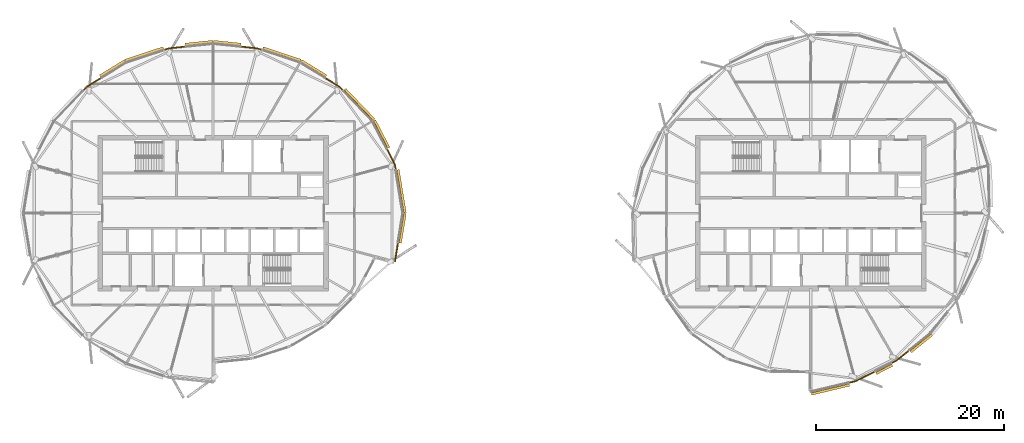
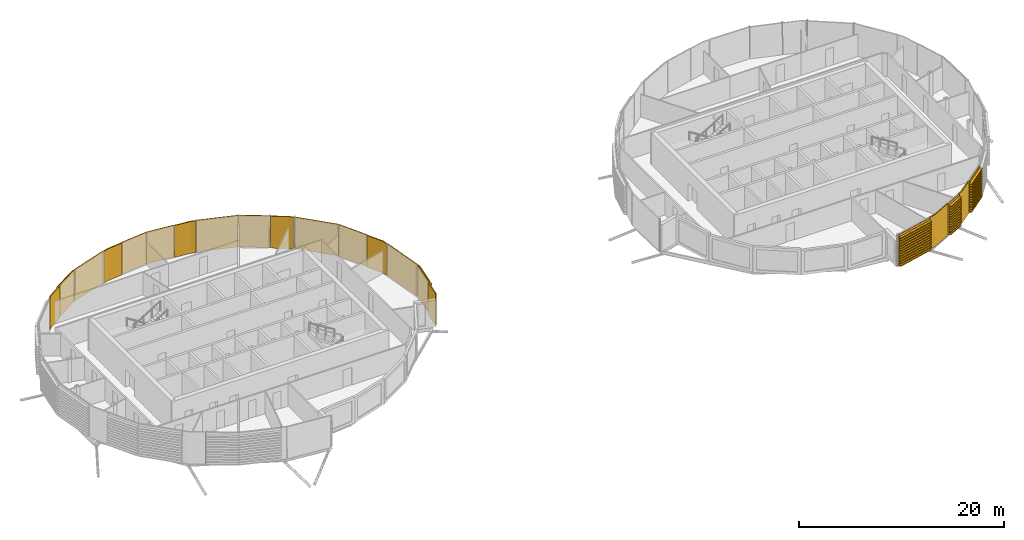
# One storey, part 32 of 34: 21 coverings.
"""IFC4 building model written with IfcOpenShell, lengths in metres."""

from ifc_helpers import new_model, si_unit, direction, frame, origin, place, context, subcontext, project, spatial, polyline, outline, extrude, material, layer, layer_set, material_profile, profile_set, type_object, element, save


model = new_model("IFC4")

# Units and contexts
model_context = context("Model", 3, precision=1e-05, world=origin(), true_north=direction((0.0, 1.0)))
body_context = subcontext(model_context, "Body", "Model", "MODEL_VIEW")
ifc_project = project(units=[si_unit("LENGTHUNIT", "METRE"), si_unit("AREAUNIT", "SQUARE_METRE"), si_unit("VOLUMEUNIT", "CUBIC_METRE"), si_unit("PLANEANGLEUNIT", "RADIAN"), si_unit("MASSUNIT", "GRAM", prefix="KILO")], contexts=[model_context])

# Site, building, storey
site_placement = place(None, origin())
site = spatial("IfcSite", under=ifc_project, at=site_placement, CompositionType="ELEMENT")
building_placement = place(site_placement, origin())
building = spatial("IfcBuilding", under=site, at=building_placement, Name="Rimbun Link Towers", CompositionType="ELEMENT")
storey_placement = place(building_placement, frame((0.0, 0.0, 252.300048828125)))
storey = spatial("IfcBuildingStorey", under=building, at=storey_placement, Name="L62", CompositionType="ELEMENT", Elevation=252.300048828125)

# Coverings
ifc_material_1 = material(Name="Terracotta", Category="masonry")
ifc_layer = layer(ifc_material_1, 0.1201171875)
ifc_layer_set = layer_set([ifc_layer], Name="LINK PIER terracotta cladding 120")
covering_type_1 = type_object("IfcCoveringType", Name="LINK PIER terracotta cladding 120", PredefinedType="CLADDING", material=ifc_layer_set)
covering_1_placement = place(storey_placement, origin())
element("IfcCovering", 1, at=covering_1_placement, inside=storey, type_object=covering_type_1, Name="LINK PIER cladding", PredefinedType="CLADDING", context=body_context, shape_type="SweptSolid", body=[
    extrude(outline(polyline([(-13.327392578125, 6.77685546875), (-12.490966796875, 5.160400390625), (-12.3984375, 4.59814453125), (-12.280029296875, 4.617431640625), (-12.37548828125, 5.19873046875), (-13.220703125, 6.83203125), (-13.327392578125, 6.77685546875)])), origin(), (0.0, 0.0, 1.0), 3.800048828125),
])
covering_2_placement = place(storey_placement, origin())
element("IfcCovering", 2, at=covering_2_placement, inside=storey, type_object=covering_type_1, Name="LINK PIER cladding", PredefinedType="CLADDING", context=body_context, shape_type="SweptSolid", body=[
    extrude(outline(polyline([(-19.8662109375, 14.318115234375), (-18.35791015625, 13.39208984375), (-17.96337890625, 12.980712890625), (-17.876708984375, 13.063720703125), (-18.281982421875, 13.486328125), (-19.803466796875, 14.42041015625), (-19.8662109375, 14.318115234375)])), origin(), (0.0, 0.0, 1.0), 3.800048828125),
])
covering_3_placement = place(storey_placement, origin())
element("IfcCovering", 3, at=covering_3_placement, inside=storey, type_object=covering_type_1, Name="LINK PIER cladding", PredefinedType="CLADDING", context=body_context, shape_type="SweptSolid", body=[
    extrude(outline(polyline([(-28.781982421875, 17.640625), (-27.071533203125, 17.460693359375), (-26.577880859375, 17.297119140625), (-26.5400390625, 17.410888671875), (-27.046142578125, 17.57861328125), (-28.76953125, 17.760009765625), (-28.781982421875, 17.640625)])), origin(), (0.0, 0.0, 1.0), 3.800048828125),
])
covering_4_placement = place(storey_placement, origin())
element("IfcCovering", 4, at=covering_4_placement, inside=storey, type_object=covering_type_1, Name="LINK PIER cladding", PredefinedType="CLADDING", context=body_context, shape_type="SweptSolid", body=[
    extrude(outline(polyline([(-36.922119140625, 17.297119140625), (-36.428466796875, 17.460693359375), (-34.718017578125, 17.640625), (-34.73046875, 17.760009765625), (-36.453857421875, 17.57861328125), (-36.9599609375, 17.410888671875), (-36.922119140625, 17.297119140625)])), origin(), (0.0, 0.0, 1.0), 3.800048828125),
])
covering_5_placement = place(storey_placement, origin())
element("IfcCovering", 5, at=covering_5_placement, inside=storey, type_object=covering_type_1, Name="LINK PIER cladding", PredefinedType="CLADDING", context=body_context, shape_type="SweptSolid", body=[
    extrude(outline(polyline([(-45.53662109375, 12.980712890625), (-45.14208984375, 13.39208984375), (-43.6337890625, 14.318115234375), (-43.696533203125, 14.42041015625), (-45.218017578125, 13.486328125), (-45.623291015625, 13.063720703125), (-45.53662109375, 12.980712890625)])), origin(), (0.0, 0.0, 1.0), 3.800048828125),
])
covering_6_placement = place(storey_placement, origin())
element("IfcCovering", 6, at=covering_6_placement, inside=storey, type_object=covering_type_1, Name="LINK PIER cladding", PredefinedType="CLADDING", context=body_context, shape_type="SweptSolid", body=[
    extrude(outline(polyline([(-12.1630859375, -3.167236328125), (-12.486083984375, -5.130859375), (-12.36767578125, -5.150390625), (-12.044677734375, -3.186767578125), (-12.1630859375, -3.167236328125)])), origin(), (0.0, 0.0, 1.0), 3.800048828125),
])
covering_7_placement = place(storey_placement, origin())
element("IfcCovering", 7, at=covering_7_placement, inside=storey, type_object=covering_type_1, Name="LINK PIER cladding", PredefinedType="CLADDING", context=body_context, shape_type="SweptSolid", body=[
    extrude(outline(polyline([(38.547607421875, -16.77978515625), (36.51904296875, -17.798583984375), (35.81884765625, -17.966064453125), (35.8466796875, -18.082763671875), (36.560546875, -17.912109375), (38.6015625, -16.88720703125), (38.547607421875, -16.77978515625)])), origin(), (0.0, 0.0, 1.0), 3.800048828125),
])
covering_8_placement = place(storey_placement, origin())
element("IfcCovering", 8, at=covering_8_placement, inside=storey, type_object=covering_type_1, Name="LINK PIER cladding", PredefinedType="CLADDING", context=body_context, shape_type="SweptSolid", body=[
    extrude(outline(polyline([(42.1640625, -14.541015625), (40.788330078125, -15.65478515625), (40.323486328125, -15.887939453125), (40.37744140625, -15.995361328125), (40.853759765625, -15.756103515625), (42.239501953125, -14.63427734375), (42.1640625, -14.541015625)])), origin(), (0.0, 0.0, 1.0), 3.800048828125),
])
ifc_material_2 = material(Name="Terracotta", Category="masonry")
ifc_material_profile = material_profile(ifc_material_2, outline(polyline([(0.123046875, 0.0), (0.1630859375, 0.0), (0.1630859375, 0.10009765625), (0.423095703125, 0.10009765625), (0.423095703125, 0.219970703125), (0.1630859375, 0.219970703125), (0.1630859375, 0.39990234375), (0.423095703125, 0.39990234375), (0.423095703125, 0.52001953125), (0.1630859375, 0.52001953125), (0.1630859375, 0.699951171875), (0.423095703125, 0.699951171875), (0.423095703125, 0.820068359375), (0.1630859375, 0.820068359375), (0.1630859375, 1.0), (0.423095703125, 1.0), (0.423095703125, 1.1201171875), (0.1630859375, 1.1201171875), (0.1630859375, 1.300048828125), (0.423095703125, 1.300048828125), (0.423095703125, 1.419921875), (0.1630859375, 1.419921875), (0.1630859375, 1.60009765625), (0.423095703125, 1.60009765625), (0.423095703125, 1.719970703125), (0.1630859375, 1.719970703125), (0.1630859375, 1.89990234375), (0.423095703125, 1.89990234375), (0.423095703125, 2.02001953125), (0.1630859375, 2.02001953125), (0.1630859375, 2.199951171875), (0.423095703125, 2.199951171875), (0.423095703125, 2.320068359375), (0.1630859375, 2.320068359375), (0.1630859375, 2.5), (0.423095703125, 2.5), (0.423095703125, 2.6201171875), (0.1630859375, 2.6201171875), (0.1630859375, 2.800048828125), (0.423095703125, 2.800048828125), (0.423095703125, 2.919921875), (0.1630859375, 2.919921875), (0.1630859375, 3.10009765625), (0.423095703125, 3.10009765625), (0.423095703125, 3.219970703125), (0.1630859375, 3.219970703125), (0.1630859375, 3.39990234375), (0.423095703125, 3.39990234375), (0.423095703125, 3.52001953125), (0.1630859375, 3.52001953125), (0.1630859375, 3.800048828125), (0.123046875, 3.800048828125), (0.123046875, 0.0)])), Name="BAGUETTE 120X300")
ifc_profile_set = profile_set([ifc_material_profile], Name="Terracotta")
covering_type_2 = type_object("IfcCoveringType", Name="TERRACOTTA BAGUETTE 120X300 H3800", PredefinedType="CLADDING", material=ifc_profile_set)
covering_9_placement = place(storey_placement, frame((-12.3935546875, 4.568359375, 0.0), z_axis=(0.162260759492, -0.986747914074, 0.0), x_axis=(0.986747914074, 0.162260759492, 0.0)))
element("IfcCovering", 9, at=covering_9_placement, inside=storey, type_object=covering_type_2, Name="TERRACOTTA BAGUETTE", PredefinedType="CLADDING", context=body_context, shape_type="SweptSolid", body=[
    extrude(outline(polyline([(0.123046875, 0.0), (0.1630859375, 0.0), (0.1630859375, 0.10009765625), (0.423095703125, 0.10009765625), (0.423095703125, 0.219970703125), (0.1630859375, 0.219970703125), (0.1630859375, 0.39990234375), (0.423095703125, 0.39990234375), (0.423095703125, 0.52001953125), (0.1630859375, 0.52001953125), (0.1630859375, 0.699951171875), (0.423095703125, 0.699951171875), (0.423095703125, 0.820068359375), (0.1630859375, 0.820068359375), (0.1630859375, 1.0), (0.423095703125, 1.0), (0.423095703125, 1.1201171875), (0.1630859375, 1.1201171875), (0.1630859375, 1.300048828125), (0.423095703125, 1.300048828125), (0.423095703125, 1.419921875), (0.1630859375, 1.419921875), (0.1630859375, 1.60009765625), (0.423095703125, 1.60009765625), (0.423095703125, 1.719970703125), (0.1630859375, 1.719970703125), (0.1630859375, 1.89990234375), (0.423095703125, 1.89990234375), (0.423095703125, 2.02001953125), (0.1630859375, 2.02001953125), (0.1630859375, 2.199951171875), (0.423095703125, 2.199951171875), (0.423095703125, 2.320068359375), (0.1630859375, 2.320068359375), (0.1630859375, 2.5), (0.423095703125, 2.5), (0.423095703125, 2.6201171875), (0.1630859375, 2.6201171875), (0.1630859375, 2.800048828125), (0.423095703125, 2.800048828125), (0.423095703125, 2.919921875), (0.1630859375, 2.919921875), (0.1630859375, 3.10009765625), (0.423095703125, 3.10009765625), (0.423095703125, 3.219970703125), (0.1630859375, 3.219970703125), (0.1630859375, 3.39990234375), (0.423095703125, 3.39990234375), (0.423095703125, 3.52001953125), (0.1630859375, 3.52001953125), (0.1630859375, 3.800048828125), (0.123046875, 3.800048828125), (0.123046875, 0.0)])), origin(), (0.0, 0.0, 1.0), 4.629638671875),
])
covering_10_placement = place(storey_placement, frame((-14.864990234375, 9.74853515625, 0.0), z_axis=(0.459569127247, -0.888142002881, 0.0), x_axis=(0.888142002881, 0.459569127247, 0.0)))
element("IfcCovering", 10, at=covering_10_placement, inside=storey, type_object=covering_type_2, Name="TERRACOTTA BAGUETTE", PredefinedType="CLADDING", context=body_context, shape_type="SweptSolid", body=[
    extrude(outline(polyline([(0.123046875, 0.0), (0.1630859375, 0.0), (0.1630859375, 0.10009765625), (0.423095703125, 0.10009765625), (0.423095703125, 0.219970703125), (0.1630859375, 0.219970703125), (0.1630859375, 0.39990234375), (0.423095703125, 0.39990234375), (0.423095703125, 0.52001953125), (0.1630859375, 0.52001953125), (0.1630859375, 0.699951171875), (0.423095703125, 0.699951171875), (0.423095703125, 0.820068359375), (0.1630859375, 0.820068359375), (0.1630859375, 1.0), (0.423095703125, 1.0), (0.423095703125, 1.1201171875), (0.1630859375, 1.1201171875), (0.1630859375, 1.300048828125), (0.423095703125, 1.300048828125), (0.423095703125, 1.419921875), (0.1630859375, 1.419921875), (0.1630859375, 1.60009765625), (0.423095703125, 1.60009765625), (0.423095703125, 1.719970703125), (0.1630859375, 1.719970703125), (0.1630859375, 1.89990234375), (0.423095703125, 1.89990234375), (0.423095703125, 2.02001953125), (0.1630859375, 2.02001953125), (0.1630859375, 2.199951171875), (0.423095703125, 2.199951171875), (0.423095703125, 2.320068359375), (0.1630859375, 2.320068359375), (0.1630859375, 2.5), (0.423095703125, 2.5), (0.423095703125, 2.6201171875), (0.1630859375, 2.6201171875), (0.1630859375, 2.800048828125), (0.423095703125, 2.800048828125), (0.423095703125, 2.919921875), (0.1630859375, 2.919921875), (0.1630859375, 3.10009765625), (0.423095703125, 3.10009765625), (0.423095703125, 3.219970703125), (0.1630859375, 3.219970703125), (0.1630859375, 3.39990234375), (0.423095703125, 3.39990234375), (0.423095703125, 3.52001953125), (0.1630859375, 3.52001953125), (0.1630859375, 3.800048828125), (0.123046875, 3.800048828125), (0.123046875, 0.0)])), origin(), (0.0, 0.0, 1.0), 3.31591796875),
])
covering_11_placement = place(storey_placement, frame((-17.942626953125, 12.958984375, 0.0), z_axis=(0.692017431912, -0.721880789279, 0.0), x_axis=(0.721880789279, 0.692017431912, 0.0)))
element("IfcCovering", 11, at=covering_11_placement, inside=storey, type_object=covering_type_2, Name="TERRACOTTA BAGUETTE", PredefinedType="CLADDING", context=body_context, shape_type="SweptSolid", body=[
    extrude(outline(polyline([(0.123046875, 0.0), (0.1630859375, 0.0), (0.1630859375, 0.10009765625), (0.423095703125, 0.10009765625), (0.423095703125, 0.219970703125), (0.1630859375, 0.219970703125), (0.1630859375, 0.39990234375), (0.423095703125, 0.39990234375), (0.423095703125, 0.52001953125), (0.1630859375, 0.52001953125), (0.1630859375, 0.699951171875), (0.423095703125, 0.699951171875), (0.423095703125, 0.820068359375), (0.1630859375, 0.820068359375), (0.1630859375, 1.0), (0.423095703125, 1.0), (0.423095703125, 1.1201171875), (0.1630859375, 1.1201171875), (0.1630859375, 1.300048828125), (0.423095703125, 1.300048828125), (0.423095703125, 1.419921875), (0.1630859375, 1.419921875), (0.1630859375, 1.60009765625), (0.423095703125, 1.60009765625), (0.423095703125, 1.719970703125), (0.1630859375, 1.719970703125), (0.1630859375, 1.89990234375), (0.423095703125, 1.89990234375), (0.423095703125, 2.02001953125), (0.1630859375, 2.02001953125), (0.1630859375, 2.199951171875), (0.423095703125, 2.199951171875), (0.423095703125, 2.320068359375), (0.1630859375, 2.320068359375), (0.1630859375, 2.5), (0.423095703125, 2.5), (0.423095703125, 2.6201171875), (0.1630859375, 2.6201171875), (0.1630859375, 2.800048828125), (0.423095703125, 2.800048828125), (0.423095703125, 2.919921875), (0.1630859375, 2.919921875), (0.1630859375, 3.10009765625), (0.423095703125, 3.10009765625), (0.423095703125, 3.219970703125), (0.1630859375, 3.219970703125), (0.1630859375, 3.39990234375), (0.423095703125, 3.39990234375), (0.423095703125, 3.52001953125), (0.1630859375, 3.52001953125), (0.1630859375, 3.800048828125), (0.123046875, 3.800048828125), (0.123046875, 0.0)])), origin(), (0.0, 0.0, 1.0), 4.447265625),
])
covering_12_placement = place(storey_placement, frame((-22.53662109375, 15.957763671875, 0.0), z_axis=(0.852200764088, -0.523214924947, 0.0), x_axis=(0.523214924947, 0.852200764088, 0.0)))
element("IfcCovering", 12, at=covering_12_placement, inside=storey, type_object=covering_type_2, Name="TERRACOTTA BAGUETTE", PredefinedType="CLADDING", context=body_context, shape_type="SweptSolid", body=[
    extrude(outline(polyline([(0.123046875, 0.0), (0.1630859375, 0.0), (0.1630859375, 0.10009765625), (0.423095703125, 0.10009765625), (0.423095703125, 0.219970703125), (0.1630859375, 0.219970703125), (0.1630859375, 0.39990234375), (0.423095703125, 0.39990234375), (0.423095703125, 0.52001953125), (0.1630859375, 0.52001953125), (0.1630859375, 0.699951171875), (0.423095703125, 0.699951171875), (0.423095703125, 0.820068359375), (0.1630859375, 0.820068359375), (0.1630859375, 1.0), (0.423095703125, 1.0), (0.423095703125, 1.1201171875), (0.1630859375, 1.1201171875), (0.1630859375, 1.300048828125), (0.423095703125, 1.300048828125), (0.423095703125, 1.419921875), (0.1630859375, 1.419921875), (0.1630859375, 1.60009765625), (0.423095703125, 1.60009765625), (0.423095703125, 1.719970703125), (0.1630859375, 1.719970703125), (0.1630859375, 1.89990234375), (0.423095703125, 1.89990234375), (0.423095703125, 2.02001953125), (0.1630859375, 2.02001953125), (0.1630859375, 2.199951171875), (0.423095703125, 2.199951171875), (0.423095703125, 2.320068359375), (0.1630859375, 2.320068359375), (0.1630859375, 2.5), (0.423095703125, 2.5), (0.423095703125, 2.6201171875), (0.1630859375, 2.6201171875), (0.1630859375, 2.800048828125), (0.423095703125, 2.800048828125), (0.423095703125, 2.919921875), (0.1630859375, 2.919921875), (0.1630859375, 3.10009765625), (0.423095703125, 3.10009765625), (0.423095703125, 3.219970703125), (0.1630859375, 3.219970703125), (0.1630859375, 3.39990234375), (0.423095703125, 3.39990234375), (0.423095703125, 3.52001953125), (0.1630859375, 3.52001953125), (0.1630859375, 3.800048828125), (0.123046875, 3.800048828125), (0.123046875, 0.0)])), origin(), (0.0, 0.0, 1.0), 3.103515625),
])
covering_13_placement = place(storey_placement, frame((-26.54931640625, 17.28759765625, 0.0), z_axis=(0.949230524958, -0.314581325715, 0.0), x_axis=(0.314581325715, 0.949230524958, 0.0)))
element("IfcCovering", 13, at=covering_13_placement, inside=storey, type_object=covering_type_2, Name="TERRACOTTA BAGUETTE", PredefinedType="CLADDING", context=body_context, shape_type="SweptSolid", body=[
    extrude(outline(polyline([(0.123046875, 0.0), (0.1630859375, 0.0), (0.1630859375, 0.10009765625), (0.423095703125, 0.10009765625), (0.423095703125, 0.219970703125), (0.1630859375, 0.219970703125), (0.1630859375, 0.39990234375), (0.423095703125, 0.39990234375), (0.423095703125, 0.52001953125), (0.1630859375, 0.52001953125), (0.1630859375, 0.699951171875), (0.423095703125, 0.699951171875), (0.423095703125, 0.820068359375), (0.1630859375, 0.820068359375), (0.1630859375, 1.0), (0.423095703125, 1.0), (0.423095703125, 1.1201171875), (0.1630859375, 1.1201171875), (0.1630859375, 1.300048828125), (0.423095703125, 1.300048828125), (0.423095703125, 1.419921875), (0.1630859375, 1.419921875), (0.1630859375, 1.60009765625), (0.423095703125, 1.60009765625), (0.423095703125, 1.719970703125), (0.1630859375, 1.719970703125), (0.1630859375, 1.89990234375), (0.423095703125, 1.89990234375), (0.423095703125, 2.02001953125), (0.1630859375, 2.02001953125), (0.1630859375, 2.199951171875), (0.423095703125, 2.199951171875), (0.423095703125, 2.320068359375), (0.1630859375, 2.320068359375), (0.1630859375, 2.5), (0.423095703125, 2.5), (0.423095703125, 2.6201171875), (0.1630859375, 2.6201171875), (0.1630859375, 2.800048828125), (0.423095703125, 2.800048828125), (0.423095703125, 2.919921875), (0.1630859375, 2.919921875), (0.1630859375, 3.10009765625), (0.423095703125, 3.10009765625), (0.423095703125, 3.219970703125), (0.1630859375, 3.219970703125), (0.1630859375, 3.39990234375), (0.423095703125, 3.39990234375), (0.423095703125, 3.52001953125), (0.1630859375, 3.52001953125), (0.1630859375, 3.800048828125), (0.123046875, 3.800048828125), (0.123046875, 0.0)])), origin(), (0.0, 0.0, 1.0), 4.227294921875),
])
for number, where, z_axis, x_axis, name in (
    (14, (-31.75, 17.953369140625, 0.0), (0.994495487107, -0.104779416506, 0.0), (0.104779416506, 0.994495487107, 0.0), "TERRACOTTA BAGUETTE"),
    (15, (-34.688232421875, 17.643798828125, 0.0), (0.994495487107, 0.104779416506, 0.0), (-0.104779416506, 0.994495487107, 0.0), "TERRACOTTA BAGUETTE"),
):
    element("IfcCovering", number, at=place(storey_placement, frame(where, z_axis=z_axis, x_axis=x_axis)), inside=storey, type_object=covering_type_2, Name=name, PredefinedType="CLADDING", context=body_context, shape_type="SweptSolid", body=[
        extrude(outline(polyline([(0.123046875, 0.0), (0.1630859375, 0.0), (0.1630859375, 0.10009765625), (0.423095703125, 0.10009765625), (0.423095703125, 0.219970703125), (0.1630859375, 0.219970703125), (0.1630859375, 0.39990234375), (0.423095703125, 0.39990234375), (0.423095703125, 0.52001953125), (0.1630859375, 0.52001953125), (0.1630859375, 0.699951171875), (0.423095703125, 0.699951171875), (0.423095703125, 0.820068359375), (0.1630859375, 0.820068359375), (0.1630859375, 1.0), (0.423095703125, 1.0), (0.423095703125, 1.1201171875), (0.1630859375, 1.1201171875), (0.1630859375, 1.300048828125), (0.423095703125, 1.300048828125), (0.423095703125, 1.419921875), (0.1630859375, 1.419921875), (0.1630859375, 1.60009765625), (0.423095703125, 1.60009765625), (0.423095703125, 1.719970703125), (0.1630859375, 1.719970703125), (0.1630859375, 1.89990234375), (0.423095703125, 1.89990234375), (0.423095703125, 2.02001953125), (0.1630859375, 2.02001953125), (0.1630859375, 2.199951171875), (0.423095703125, 2.199951171875), (0.423095703125, 2.320068359375), (0.1630859375, 2.320068359375), (0.1630859375, 2.5), (0.423095703125, 2.5), (0.423095703125, 2.6201171875), (0.1630859375, 2.6201171875), (0.1630859375, 2.800048828125), (0.423095703125, 2.800048828125), (0.423095703125, 2.919921875), (0.1630859375, 2.919921875), (0.1630859375, 3.10009765625), (0.423095703125, 3.10009765625), (0.423095703125, 3.219970703125), (0.1630859375, 3.219970703125), (0.1630859375, 3.39990234375), (0.423095703125, 3.39990234375), (0.423095703125, 3.52001953125), (0.1630859375, 3.52001953125), (0.1630859375, 3.800048828125), (0.123046875, 3.800048828125), (0.123046875, 0.0)])), origin(), (0.0, 0.0, 1.0), 2.95458984375),
    ])
covering_14_placement = place(storey_placement, frame((-40.96337890625, 15.957763671875, 0.0), z_axis=(0.949230524958, 0.314581325715, 0.0), x_axis=(-0.314581325715, 0.949230524958, 0.0)))
element("IfcCovering", 16, at=covering_14_placement, inside=storey, type_object=covering_type_2, Name="TERRACOTTA BAGUETTE", PredefinedType="CLADDING", context=body_context, shape_type="SweptSolid", body=[
    extrude(outline(polyline([(0.123046875, 0.0), (0.1630859375, 0.0), (0.1630859375, 0.10009765625), (0.423095703125, 0.10009765625), (0.423095703125, 0.219970703125), (0.1630859375, 0.219970703125), (0.1630859375, 0.39990234375), (0.423095703125, 0.39990234375), (0.423095703125, 0.52001953125), (0.1630859375, 0.52001953125), (0.1630859375, 0.699951171875), (0.423095703125, 0.699951171875), (0.423095703125, 0.820068359375), (0.1630859375, 0.820068359375), (0.1630859375, 1.0), (0.423095703125, 1.0), (0.423095703125, 1.1201171875), (0.1630859375, 1.1201171875), (0.1630859375, 1.300048828125), (0.423095703125, 1.300048828125), (0.423095703125, 1.419921875), (0.1630859375, 1.419921875), (0.1630859375, 1.60009765625), (0.423095703125, 1.60009765625), (0.423095703125, 1.719970703125), (0.1630859375, 1.719970703125), (0.1630859375, 1.89990234375), (0.423095703125, 1.89990234375), (0.423095703125, 2.02001953125), (0.1630859375, 2.02001953125), (0.1630859375, 2.199951171875), (0.423095703125, 2.199951171875), (0.423095703125, 2.320068359375), (0.1630859375, 2.320068359375), (0.1630859375, 2.5), (0.423095703125, 2.5), (0.423095703125, 2.6201171875), (0.1630859375, 2.6201171875), (0.1630859375, 2.800048828125), (0.423095703125, 2.800048828125), (0.423095703125, 2.919921875), (0.1630859375, 2.919921875), (0.1630859375, 3.10009765625), (0.423095703125, 3.10009765625), (0.423095703125, 3.219970703125), (0.1630859375, 3.219970703125), (0.1630859375, 3.39990234375), (0.423095703125, 3.39990234375), (0.423095703125, 3.52001953125), (0.1630859375, 3.52001953125), (0.1630859375, 3.800048828125), (0.123046875, 3.800048828125), (0.123046875, 0.0)])), origin(), (0.0, 0.0, 1.0), 4.227294921875),
])
covering_15_placement = place(storey_placement, frame((-43.608154296875, 14.333984375, 0.0), z_axis=(0.852200764088, 0.523214924947, 0.0), x_axis=(-0.523214924947, 0.852200764088, 0.0)))
element("IfcCovering", 17, at=covering_15_placement, inside=storey, type_object=covering_type_2, Name="TERRACOTTA BAGUETTE", PredefinedType="CLADDING", context=body_context, shape_type="SweptSolid", body=[
    extrude(outline(polyline([(0.123046875, 0.0), (0.1630859375, 0.0), (0.1630859375, 0.10009765625), (0.423095703125, 0.10009765625), (0.423095703125, 0.219970703125), (0.1630859375, 0.219970703125), (0.1630859375, 0.39990234375), (0.423095703125, 0.39990234375), (0.423095703125, 0.52001953125), (0.1630859375, 0.52001953125), (0.1630859375, 0.699951171875), (0.423095703125, 0.699951171875), (0.423095703125, 0.820068359375), (0.1630859375, 0.820068359375), (0.1630859375, 1.0), (0.423095703125, 1.0), (0.423095703125, 1.1201171875), (0.1630859375, 1.1201171875), (0.1630859375, 1.300048828125), (0.423095703125, 1.300048828125), (0.423095703125, 1.419921875), (0.1630859375, 1.419921875), (0.1630859375, 1.60009765625), (0.423095703125, 1.60009765625), (0.423095703125, 1.719970703125), (0.1630859375, 1.719970703125), (0.1630859375, 1.89990234375), (0.423095703125, 1.89990234375), (0.423095703125, 2.02001953125), (0.1630859375, 2.02001953125), (0.1630859375, 2.199951171875), (0.423095703125, 2.199951171875), (0.423095703125, 2.320068359375), (0.1630859375, 2.320068359375), (0.1630859375, 2.5), (0.423095703125, 2.5), (0.423095703125, 2.6201171875), (0.1630859375, 2.6201171875), (0.1630859375, 2.800048828125), (0.423095703125, 2.800048828125), (0.423095703125, 2.919921875), (0.1630859375, 2.919921875), (0.1630859375, 3.10009765625), (0.423095703125, 3.10009765625), (0.423095703125, 3.219970703125), (0.1630859375, 3.219970703125), (0.1630859375, 3.39990234375), (0.423095703125, 3.39990234375), (0.423095703125, 3.52001953125), (0.1630859375, 3.52001953125), (0.1630859375, 3.800048828125), (0.123046875, 3.800048828125), (0.123046875, 0.0)])), origin(), (0.0, 0.0, 1.0), 3.103515625),
])
covering_16_placement = place(storey_placement, frame((-11.642333984375, 0.0, 0.0), z_axis=(-0.162232202308, -0.986752609591, 0.0), x_axis=(0.986752609591, -0.162232202308, 0.0)))
element("IfcCovering", 18, at=covering_16_placement, inside=storey, type_object=covering_type_2, Name="TERRACOTTA BAGUETTE", PredefinedType="CLADDING", context=body_context, shape_type="SweptSolid", body=[
    extrude(outline(polyline([(0.123046875, 0.0), (0.1630859375, 0.0), (0.1630859375, 0.10009765625), (0.423095703125, 0.10009765625), (0.423095703125, 0.219970703125), (0.1630859375, 0.219970703125), (0.1630859375, 0.39990234375), (0.423095703125, 0.39990234375), (0.423095703125, 0.52001953125), (0.1630859375, 0.52001953125), (0.1630859375, 0.699951171875), (0.423095703125, 0.699951171875), (0.423095703125, 0.820068359375), (0.1630859375, 0.820068359375), (0.1630859375, 1.0), (0.423095703125, 1.0), (0.423095703125, 1.1201171875), (0.1630859375, 1.1201171875), (0.1630859375, 1.300048828125), (0.423095703125, 1.300048828125), (0.423095703125, 1.419921875), (0.1630859375, 1.419921875), (0.1630859375, 1.60009765625), (0.423095703125, 1.60009765625), (0.423095703125, 1.719970703125), (0.1630859375, 1.719970703125), (0.1630859375, 1.89990234375), (0.423095703125, 1.89990234375), (0.423095703125, 2.02001953125), (0.1630859375, 2.02001953125), (0.1630859375, 2.199951171875), (0.423095703125, 2.199951171875), (0.423095703125, 2.320068359375), (0.1630859375, 2.320068359375), (0.1630859375, 2.5), (0.423095703125, 2.5), (0.423095703125, 2.6201171875), (0.1630859375, 2.6201171875), (0.1630859375, 2.800048828125), (0.423095703125, 2.800048828125), (0.423095703125, 2.919921875), (0.1630859375, 2.919921875), (0.1630859375, 3.10009765625), (0.423095703125, 3.10009765625), (0.423095703125, 3.219970703125), (0.1630859375, 3.219970703125), (0.1630859375, 3.39990234375), (0.423095703125, 3.39990234375), (0.423095703125, 3.52001953125), (0.1630859375, 3.52001953125), (0.1630859375, 3.800048828125), (0.123046875, 3.800048828125), (0.123046875, 0.0)])), origin(), (0.0, 0.0, 1.0), 3.179931640625),
])
covering_17_placement = place(storey_placement, frame((35.78955078125, -17.97314453125, 0.0), z_axis=(-0.972574266838, -0.232592552513, 0.0), x_axis=(0.232592552513, -0.972574266838, 0.0)))
element("IfcCovering", 19, at=covering_17_placement, inside=storey, type_object=covering_type_2, Name="TERRACOTTA BAGUETTE", PredefinedType="CLADDING", context=body_context, shape_type="SweptSolid", body=[
    extrude(outline(polyline([(0.123046875, 0.0), (0.1630859375, 0.0), (0.1630859375, 0.10009765625), (0.423095703125, 0.10009765625), (0.423095703125, 0.219970703125), (0.1630859375, 0.219970703125), (0.1630859375, 0.39990234375), (0.423095703125, 0.39990234375), (0.423095703125, 0.52001953125), (0.1630859375, 0.52001953125), (0.1630859375, 0.699951171875), (0.423095703125, 0.699951171875), (0.423095703125, 0.820068359375), (0.1630859375, 0.820068359375), (0.1630859375, 1.0), (0.423095703125, 1.0), (0.423095703125, 1.1201171875), (0.1630859375, 1.1201171875), (0.1630859375, 1.300048828125), (0.423095703125, 1.300048828125), (0.423095703125, 1.419921875), (0.1630859375, 1.419921875), (0.1630859375, 1.60009765625), (0.423095703125, 1.60009765625), (0.423095703125, 1.719970703125), (0.1630859375, 1.719970703125), (0.1630859375, 1.89990234375), (0.423095703125, 1.89990234375), (0.423095703125, 2.02001953125), (0.1630859375, 2.02001953125), (0.1630859375, 2.199951171875), (0.423095703125, 2.199951171875), (0.423095703125, 2.320068359375), (0.1630859375, 2.320068359375), (0.1630859375, 2.5), (0.423095703125, 2.5), (0.423095703125, 2.6201171875), (0.1630859375, 2.6201171875), (0.1630859375, 2.800048828125), (0.423095703125, 2.800048828125), (0.423095703125, 2.919921875), (0.1630859375, 2.919921875), (0.1630859375, 3.10009765625), (0.423095703125, 3.10009765625), (0.423095703125, 3.219970703125), (0.1630859375, 3.219970703125), (0.1630859375, 3.39990234375), (0.423095703125, 3.39990234375), (0.423095703125, 3.52001953125), (0.1630859375, 3.52001953125), (0.1630859375, 3.800048828125), (0.123046875, 3.800048828125), (0.123046875, 0.0)])), origin(), (0.0, 0.0, 1.0), 4.153564453125),
])
covering_18_placement = place(storey_placement, frame((40.296875, -15.901611328125, 0.0), z_axis=(-0.893691269661, -0.448682420573, 0.0), x_axis=(0.448682420573, -0.893691269661, 0.0)))
element("IfcCovering", 20, at=covering_18_placement, inside=storey, type_object=covering_type_2, Name="TERRACOTTA BAGUETTE", PredefinedType="CLADDING", context=body_context, shape_type="SweptSolid", body=[
    extrude(outline(polyline([(0.123046875, 0.0), (0.1630859375, 0.0), (0.1630859375, 0.10009765625), (0.423095703125, 0.10009765625), (0.423095703125, 0.219970703125), (0.1630859375, 0.219970703125), (0.1630859375, 0.39990234375), (0.423095703125, 0.39990234375), (0.423095703125, 0.52001953125), (0.1630859375, 0.52001953125), (0.1630859375, 0.699951171875), (0.423095703125, 0.699951171875), (0.423095703125, 0.820068359375), (0.1630859375, 0.820068359375), (0.1630859375, 1.0), (0.423095703125, 1.0), (0.423095703125, 1.1201171875), (0.1630859375, 1.1201171875), (0.1630859375, 1.300048828125), (0.423095703125, 1.300048828125), (0.423095703125, 1.419921875), (0.1630859375, 1.419921875), (0.1630859375, 1.60009765625), (0.423095703125, 1.60009765625), (0.423095703125, 1.719970703125), (0.1630859375, 1.719970703125), (0.1630859375, 1.89990234375), (0.423095703125, 1.89990234375), (0.423095703125, 2.02001953125), (0.1630859375, 2.02001953125), (0.1630859375, 2.199951171875), (0.423095703125, 2.199951171875), (0.423095703125, 2.320068359375), (0.1630859375, 2.320068359375), (0.1630859375, 2.5), (0.423095703125, 2.5), (0.423095703125, 2.6201171875), (0.1630859375, 2.6201171875), (0.1630859375, 2.800048828125), (0.423095703125, 2.800048828125), (0.423095703125, 2.919921875), (0.1630859375, 2.919921875), (0.1630859375, 3.10009765625), (0.423095703125, 3.10009765625), (0.423095703125, 3.219970703125), (0.1630859375, 3.219970703125), (0.1630859375, 3.39990234375), (0.423095703125, 3.39990234375), (0.423095703125, 3.52001953125), (0.1630859375, 3.52001953125), (0.1630859375, 3.800048828125), (0.123046875, 3.800048828125), (0.123046875, 0.0)])), origin(), (0.0, 0.0, 1.0), 1.92724609375),
])
covering_19_placement = place(storey_placement, frame((44.44482421875, -12.69482421875, 0.0), z_axis=(-0.777238997836, -0.629205483323, 0.0), x_axis=(0.629205483323, -0.777238997836, 0.0)))
element("IfcCovering", 21, at=covering_19_placement, inside=storey, type_object=covering_type_2, Name="TERRACOTTA BAGUETTE", PredefinedType="CLADDING", context=body_context, shape_type="SweptSolid", body=[
    extrude(outline(polyline([(0.123046875, 0.0), (0.1630859375, 0.0), (0.1630859375, 0.10009765625), (0.423095703125, 0.10009765625), (0.423095703125, 0.219970703125), (0.1630859375, 0.219970703125), (0.1630859375, 0.39990234375), (0.423095703125, 0.39990234375), (0.423095703125, 0.52001953125), (0.1630859375, 0.52001953125), (0.1630859375, 0.699951171875), (0.423095703125, 0.699951171875), (0.423095703125, 0.820068359375), (0.1630859375, 0.820068359375), (0.1630859375, 1.0), (0.423095703125, 1.0), (0.423095703125, 1.1201171875), (0.1630859375, 1.1201171875), (0.1630859375, 1.300048828125), (0.423095703125, 1.300048828125), (0.423095703125, 1.419921875), (0.1630859375, 1.419921875), (0.1630859375, 1.60009765625), (0.423095703125, 1.60009765625), (0.423095703125, 1.719970703125), (0.1630859375, 1.719970703125), (0.1630859375, 1.89990234375), (0.423095703125, 1.89990234375), (0.423095703125, 2.02001953125), (0.1630859375, 2.02001953125), (0.1630859375, 2.199951171875), (0.423095703125, 2.199951171875), (0.423095703125, 2.320068359375), (0.1630859375, 2.320068359375), (0.1630859375, 2.5), (0.423095703125, 2.5), (0.423095703125, 2.6201171875), (0.1630859375, 2.6201171875), (0.1630859375, 2.800048828125), (0.423095703125, 2.800048828125), (0.423095703125, 2.919921875), (0.1630859375, 2.919921875), (0.1630859375, 3.10009765625), (0.423095703125, 3.10009765625), (0.423095703125, 3.219970703125), (0.1630859375, 3.219970703125), (0.1630859375, 3.39990234375), (0.423095703125, 3.39990234375), (0.423095703125, 3.52001953125), (0.1630859375, 3.52001953125), (0.1630859375, 3.800048828125), (0.123046875, 3.800048828125), (0.123046875, 0.0)])), origin(), (0.0, 0.0, 1.0), 2.904296875),
])

save(model, "model.ifc")
